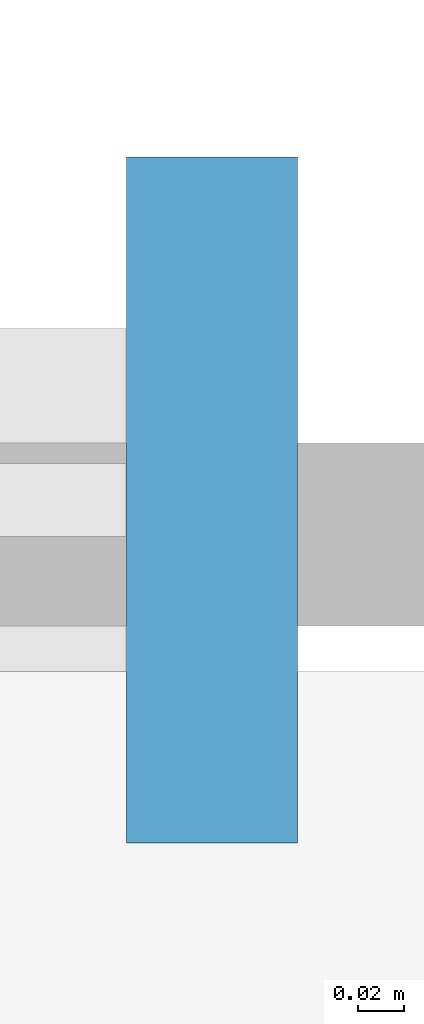
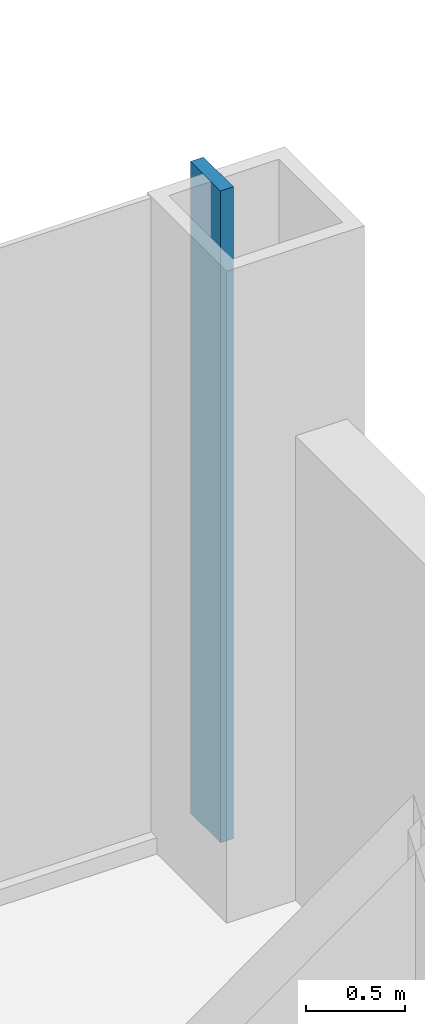
# One storey, part 5 of 20: 1 member, 1 element without a shape of its own.
"""IFC4 building model written with IfcOpenShell, lengths in metres."""

from ifc_helpers import new_model, si_unit, direction, frame, origin, origin_2d, place, context, subcontext, project, spatial, rectangle, extrude, material, layer, layer_set, material_profile, profile_set, type_object, element, aggregate, save


model = new_model("IFC4")

# Units and contexts
model_context = context("Model", 3, precision=1e-05, world=origin(), true_north=direction((0.0, 1.0)))
body_context = subcontext(model_context, "Body", "Model", "MODEL_VIEW")
ifc_project = project(units=[si_unit("LENGTHUNIT", "METRE"), si_unit("AREAUNIT", "SQUARE_METRE"), si_unit("VOLUMEUNIT", "CUBIC_METRE"), si_unit("PLANEANGLEUNIT", "RADIAN"), si_unit("MASSUNIT", "GRAM", prefix="KILO")], contexts=[model_context])

# Site, building, storey
site_placement = place(None, origin())
site = spatial("IfcSite", under=ifc_project, at=site_placement, CompositionType="ELEMENT")
building_placement = place(site_placement, origin())
building = spatial("IfcBuilding", under=site, at=building_placement, Name="Malebo Sky Hospital", CompositionType="ELEMENT")
storey_placement = place(building_placement, frame((0.0, 0.0, 233.0)))
storey = spatial("IfcBuildingStorey", under=building, at=storey_placement, Name="L56", CompositionType="ELEMENT", Elevation=233.0)

# Curtain wall, member
ifc_material = material(Name="Anodised aluminium, natural silver", Category="aluminium")
ifc_layer = layer(ifc_material, 0.25)
ifc_layer_set = layer_set([ifc_layer], Name="WARD CURTAIN WALL NORTH AND SOUTH")
curtain_wall_type = type_object("IfcCurtainWallType", Name="WARD CURTAIN WALL NORTH AND SOUTH", PredefinedType="NOTDEFINED", material=ifc_layer_set)
curtain_wall_placement = place(storey_placement, origin())
curtain_wall = element("IfcCurtainWall", 1, at=curtain_wall_placement, inside=storey, type_object=curtain_wall_type, Name="NS curtain wall N", PredefinedType="NOTDEFINED")
ifc_material_profile = material_profile(ifc_material, rectangle(XDim=0.074951171875, YDim=0.300048828125, at=origin_2d()), Name="CW1 ALUMINIUM FIN MULLION 75x300")
ifc_profile_set = profile_set([ifc_material_profile], Name="Anodised aluminium, natural silver")
member_type = type_object("IfcMemberType", Name="CW1 ALUMINIUM FIN MULLION 75x300", PredefinedType="MULLION", material=ifc_profile_set)
member_placement = place(storey_placement, frame((77.66259765625, 84.574951171875, 0.0), z_axis=(0.0, 0.0, 1.0), x_axis=(1.0, 0.0, 0.0)))
member = element("IfcMember", 2, at=member_placement, type_object=member_type, Name="Fin mullion 14", PredefinedType="MULLION", context=body_context, shape_type="SweptSolid", body=[
    extrude(rectangle(XDim=0.074951171875, YDim=0.300048828125, at=origin_2d()), origin(), (0.0, 0.0, 1.0), 4.0),
])
aggregate(curtain_wall, [member])

save(model, "model.ifc")
